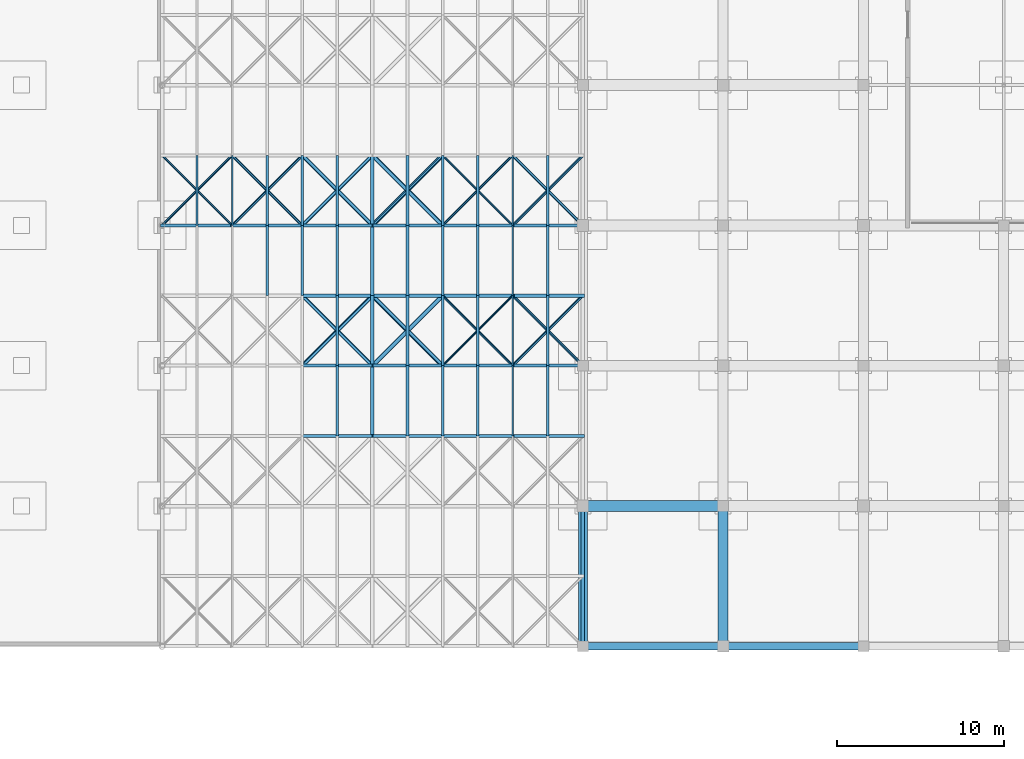
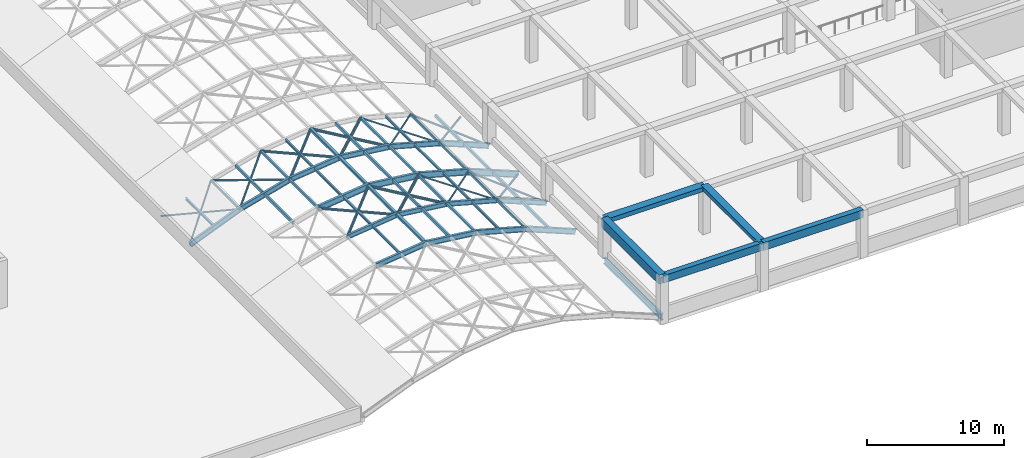
# One storey, part 19 of 85: 72 members, 6 beams.
"""IFC4 building model written with IfcOpenShell, lengths in metres."""

from ifc_helpers import new_model, si_unit, direction, frame, origin, origin_2d, place, context, subcontext, project, spatial, rectangle, hollow_rectangle, hollow_circle, i_section, extrude, material, material_profile, profile_set, type_object, element, save


model = new_model("IFC4")

# Units and contexts
model_context = context("Model", 3, precision=1e-05, world=origin(), true_north=direction((0.0, 1.0)))
body_context = subcontext(model_context, "Body", "Model", "MODEL_VIEW")
ifc_project = project(units=[si_unit("LENGTHUNIT", "METRE"), si_unit("AREAUNIT", "SQUARE_METRE"), si_unit("VOLUMEUNIT", "CUBIC_METRE"), si_unit("PLANEANGLEUNIT", "RADIAN"), si_unit("MASSUNIT", "GRAM", prefix="KILO")], contexts=[model_context])

# Site, building, storey
site_placement = place(None, origin())
site = spatial("IfcSite", under=ifc_project, at=site_placement, CompositionType="ELEMENT")
building_placement = place(site_placement, origin())
building = spatial("IfcBuilding", under=site, at=building_placement, Name="Almacenes y Pasaje Nevantli", CompositionType="ELEMENT")
storey_placement = place(building_placement, frame((0.0, 0.0, 22.199951171875)))
storey = spatial("IfcBuildingStorey", under=building, at=storey_placement, Name="L05", CompositionType="ELEMENT", Elevation=22.199951171875)

# Beams
ifc_material_1 = material(Name="Concrete C35/45", Category="concrete")
ifc_material_profile_1 = material_profile(ifc_material_1, rectangle(XDim=0.449951171875, YDim=0.64990234375, at=origin_2d()), Name="RC-BM-450x650")
ifc_profile_set_1 = profile_set([ifc_material_profile_1], Name="Concrete C35/45")
beam_type_1 = type_object("IfcBeamType", Name="BM-RC-450x650", PredefinedType="SPANDREL", material=ifc_profile_set_1)
beam_1_placement = place(storey_placement, frame((92.39990234375, 0.0, 3.89501953125), z_axis=(1.0, 0.0, 0.0), x_axis=(0.0, 1.0, 0.0)))
element("IfcBeam", 1, at=beam_1_placement, inside=storey, type_object=beam_type_1, Name="L05 East-West Reinforced Concrete Beam #3263", PredefinedType="SPANDREL", context=body_context, shape_type="SweptSolid", body=[
    extrude(rectangle(XDim=0.449951171875, YDim=0.64990234375, at=origin_2d()), origin(), (0.0, 0.0, 1.0), 8.400146484375),
])
ifc_material_2 = material(Name="Concrete C35/45", Category="concrete")
ifc_material_profile_2 = material_profile(ifc_material_2, rectangle(XDim=0.449951171875, YDim=0.699951171875, at=origin_2d()), Name="RC-BM-450x700")
ifc_profile_set_2 = profile_set([ifc_material_profile_2], Name="Concrete C35/45")
beam_type_2 = type_object("IfcBeamType", Name="BM-RC-450x700", PredefinedType="SPANDREL", material=ifc_profile_set_2)
beam_2_placement = place(storey_placement, frame((100.800048828125, 0.0, 3.8701171875), z_axis=(1.0, 0.0, 0.0), x_axis=(0.0, 1.0, 0.0)))
element("IfcBeam", 2, at=beam_2_placement, inside=storey, type_object=beam_type_2, Name="L05 East-West Reinforced Concrete Beam #3264", PredefinedType="SPANDREL", context=body_context, shape_type="SweptSolid", body=[
    extrude(rectangle(XDim=0.449951171875, YDim=0.699951171875, at=origin_2d()), origin(), (0.0, 0.0, 1.0), 8.39990234375),
])
ifc_material_3 = material(Name="Concrete C35/45", Category="concrete")
ifc_material_profile_3 = material_profile(ifc_material_3, rectangle(XDim=0.550048828125, YDim=0.800048828125, at=origin_2d()), Name="RC-BM-550x800")
ifc_profile_set_3 = profile_set([ifc_material_profile_3], Name="Concrete C35/45")
beam_type_3 = type_object("IfcBeamType", Name="BM-RC-550x800", PredefinedType="BEAM", material=ifc_profile_set_3)
beam_3_placement = place(storey_placement, frame((92.39990234375, 0.0, 3.820068359375), z_axis=(0.0, 1.0, 0.0), x_axis=(-1.0, 0.0, 0.0)))
element("IfcBeam", 3, at=beam_3_placement, inside=storey, type_object=beam_type_3, Name="L05 North-South Reinforced Concrete Beam #3464", PredefinedType="BEAM", context=body_context, shape_type="SweptSolid", body=[
    extrude(rectangle(XDim=0.550048828125, YDim=0.800048828125, at=origin_2d()), origin(), (0.0, 0.0, 1.0), 8.39990234375),
])
ifc_material_4 = material(Name="Concrete C35/45", Category="concrete")
ifc_material_profile_4 = material_profile(ifc_material_4, rectangle(XDim=0.60009765625, YDim=0.340087890625, at=origin_2d()), Name="RC-BM-600x340")
ifc_profile_set_4 = profile_set([ifc_material_profile_4], Name="Concrete C35/45")
beam_type_4 = type_object("IfcBeamType", Name="BM-RC-600x340", PredefinedType="BEAM", material=ifc_profile_set_4)
beam_4_placement = place(storey_placement, frame((100.800048828125, 0.0, 4.050048828125), z_axis=(0.0, 1.0, 0.0), x_axis=(-1.0, 0.0, 0.0)))
element("IfcBeam", 4, at=beam_4_placement, inside=storey, type_object=beam_type_4, Name="L05 North-South Reinforced Concrete Beam #3478", PredefinedType="BEAM", context=body_context, shape_type="SweptSolid", body=[
    extrude(rectangle(XDim=0.60009765625, YDim=0.340087890625, at=origin_2d()), origin(), (0.0, 0.0, 1.0), 8.39990234375),
])
ifc_material_5 = material(Name="Concrete C35/45", Category="concrete")
ifc_material_profile_5 = material_profile(ifc_material_5, rectangle(XDim=0.64990234375, YDim=0.3798828125, at=origin_2d()), Name="RC-BM-650x380")
ifc_profile_set_5 = profile_set([ifc_material_profile_5], Name="Concrete C35/45")
beam_type_5 = type_object("IfcBeamType", Name="BM-RC-650x380", PredefinedType="BEAM", material=ifc_profile_set_5)
beam_5_placement = place(storey_placement, frame((92.39990234375, 8.39990234375, 4.030029296875), z_axis=(1.0, 0.0, 0.0), x_axis=(0.0, 1.0, 0.0)))
element("IfcBeam", 5, at=beam_5_placement, inside=storey, type_object=beam_type_5, Name="L05 East-West Reinforced Concrete Beam #3272", PredefinedType="BEAM", context=body_context, shape_type="SweptSolid", body=[
    extrude(rectangle(XDim=0.64990234375, YDim=0.3798828125, at=origin_2d()), origin(), (0.0, 0.0, 1.0), 8.400146484375),
])
ifc_material_6 = material(Name="Steel ASTM A992", Category="steel")
ifc_material_profile_6 = material_profile(ifc_material_6, i_section(OverallWidth=0.208984375, OverallDepth=0.532958984375, WebThickness=0.01025390625, FlangeThickness=0.015625, at=origin_2d()), Name="IR 533x92.5")
ifc_profile_set_6 = profile_set([ifc_material_profile_6], Name="Steel ASTM A992")
beam_type_6 = type_object("IfcBeamType", Name="BM-STL-IR-533x92p5", PredefinedType="BEAM", material=ifc_profile_set_6)
beam_6_placement = place(storey_placement, frame((92.39990234375, 0.0, 0.400146484375), z_axis=(0.0, 1.0, 0.0), x_axis=(-1.0, 0.0, 0.0)))
element("IfcBeam", 6, at=beam_6_placement, inside=storey, type_object=beam_type_6, Name="L05 Arcade Barrel Vault Eave Steel Girder #2.1", PredefinedType="BEAM", context=body_context, shape_type="SweptSolid", body=[
    extrude(i_section(OverallWidth=0.208984375, OverallDepth=0.532958984375, WebThickness=0.01025390625, FlangeThickness=0.015625, at=origin_2d()), origin(), (0.0, 0.0, 1.0), 8.39990234375),
])

# Members
ifc_material_7 = material(Name="Steel ASTM A992", Category="steel")
ifc_material_profile_7 = material_profile(ifc_material_7, i_section(OverallWidth=0.180908203125, OverallDepth=0.406005859375, WebThickness=0.010986328125, FlangeThickness=0.018310546875, at=origin_2d()), Name="IR 406x85.0")
ifc_profile_set_7 = profile_set([ifc_material_profile_7], Name="Steel ASTM A992")
member_type_1 = type_object("IfcMemberType", Name="MBR-ARCH-IR406x85", PredefinedType="USERDEFINED", material=ifc_profile_set_7)
for number, where, z_axis, x_axis, name in (
    (7, (75.60009765625, 16.800048828125, 3.25), (0.99298811287, 0.0, 0.118214244908), (0.0, 1.0, 0.0), "Arcade Barrel Vault Steel Arch Rib 5.3"),
    (8, (79.800048828125, 16.800048828125, 3.75), (0.99298811287, 0.0, -0.118214244908), (0.0, 1.0, 0.0), "Arcade Barrel Vault Steel Arch Rib 5.4"),
):
    element("IfcMember", number, at=place(storey_placement, frame(where, z_axis=z_axis, x_axis=x_axis)), inside=storey, type_object=member_type_1, Name=name, ObjectType="ARCH RIB", PredefinedType="USERDEFINED", context=body_context, shape_type="SweptSolid", body=[
        extrude(i_section(OverallWidth=0.180908203125, OverallDepth=0.406005859375, WebThickness=0.010986328125, FlangeThickness=0.018310546875, at=origin_2d()), origin(), (0.0, 0.0, 1.0), 4.2294921875),
    ])
member_1_placement = place(storey_placement, frame((84.0, 16.800048828125, 3.25), z_axis=(0.964503290046, 0.0, -0.264070830443), x_axis=(0.0, 1.0, 0.0)))
element("IfcMember", 9, at=member_1_placement, inside=storey, type_object=member_type_1, Name="Arcade Barrel Vault Steel Arch Rib 5.5", ObjectType="ARCH RIB", PredefinedType="USERDEFINED", context=body_context, shape_type="SweptSolid", body=[
    extrude(i_section(OverallWidth=0.180908203125, OverallDepth=0.406005859375, WebThickness=0.010986328125, FlangeThickness=0.018310546875, at=origin_2d()), origin(), (0.0, 0.0, 1.0), 4.3544921875),
])
member_2_placement = place(storey_placement, frame((88.199951171875, 16.800048828125, 2.10009765625), z_axis=(0.926949044115, 0.0, -0.375187246072), x_axis=(0.0, 1.0, 0.0)))
element("IfcMember", 10, at=member_2_placement, inside=storey, type_object=member_type_1, Name="Arcade Barrel Vault Steel Arch Rib 5.6", ObjectType="ARCH RIB", PredefinedType="USERDEFINED", context=body_context, shape_type="SweptSolid", body=[
    extrude(i_section(OverallWidth=0.180908203125, OverallDepth=0.406005859375, WebThickness=0.010986328125, FlangeThickness=0.018310546875, at=origin_2d()), origin(), (0.0, 0.0, 1.0), 4.531005859375),
])
ifc_material_8 = material(Name="Steel ASTM A992", Category="steel")
ifc_material_profile_8 = material_profile(ifc_material_8, i_section(OverallWidth=0.193115234375, OverallDepth=0.4599609375, WebThickness=0.011474609375, FlangeThickness=0.01904296875, at=origin_2d()), Name="IR 457x96.7")
ifc_profile_set_8 = profile_set([ifc_material_profile_8], Name="Steel ASTM A992")
member_type_2 = type_object("IfcMemberType", Name="MBR-ARCH-IR457x96", PredefinedType="USERDEFINED", material=ifc_profile_set_8)
for number, where, z_axis, x_axis, name in (
    (11, (75.60009765625, 12.60009765625, 3.25), (0.99298811287, 0.0, 0.118214244908), (0.0, 1.0, 0.0), "Arcade Barrel Vault Steel Arch Rib 4.3"),
    (12, (79.800048828125, 12.60009765625, 3.75), (0.99298811287, 0.0, -0.118214244908), (0.0, 1.0, 0.0), "Arcade Barrel Vault Steel Arch Rib 4.4"),
):
    element("IfcMember", number, at=place(storey_placement, frame(where, z_axis=z_axis, x_axis=x_axis)), inside=storey, type_object=member_type_2, Name=name, ObjectType="ARCH RIB", PredefinedType="USERDEFINED", context=body_context, shape_type="SweptSolid", body=[
        extrude(i_section(OverallWidth=0.193115234375, OverallDepth=0.4599609375, WebThickness=0.011474609375, FlangeThickness=0.01904296875, at=origin_2d()), origin(), (0.0, 0.0, 1.0), 4.2294921875),
    ])
member_3_placement = place(storey_placement, frame((84.0, 12.60009765625, 3.25), z_axis=(0.964503290046, 0.0, -0.264070830443), x_axis=(0.0, 1.0, 0.0)))
element("IfcMember", 13, at=member_3_placement, inside=storey, type_object=member_type_2, Name="Arcade Barrel Vault Steel Arch Rib 4.5", ObjectType="ARCH RIB", PredefinedType="USERDEFINED", context=body_context, shape_type="SweptSolid", body=[
    extrude(i_section(OverallWidth=0.193115234375, OverallDepth=0.4599609375, WebThickness=0.011474609375, FlangeThickness=0.01904296875, at=origin_2d()), origin(), (0.0, 0.0, 1.0), 4.3544921875),
])
for number, where, z_axis, x_axis, name in (
    (14, (88.199951171875, 12.60009765625, 2.10009765625), (0.926949044115, 0.0, -0.375187246072), (0.0, 1.0, 0.0), "Arcade Barrel Vault Steel Arch Rib 4.6"),
    (15, (67.199951171875, 25.199951171875, 0.400146484375), (0.926949044115, 0.0, 0.375187246072), (0.0, 1.0, 0.0), "Arcade Barrel Vault Steel Arch Rib 7.1"),
):
    element("IfcMember", number, at=place(storey_placement, frame(where, z_axis=z_axis, x_axis=x_axis)), inside=storey, type_object=member_type_2, Name=name, ObjectType="ARCH RIB", PredefinedType="USERDEFINED", context=body_context, shape_type="SweptSolid", body=[
        extrude(i_section(OverallWidth=0.193115234375, OverallDepth=0.4599609375, WebThickness=0.011474609375, FlangeThickness=0.01904296875, at=origin_2d()), origin(), (0.0, 0.0, 1.0), 4.531005859375),
    ])
member_4_placement = place(storey_placement, frame((71.39990234375, 25.199951171875, 2.10009765625), z_axis=(0.964507199401, 0.0, 0.264056551336), x_axis=(0.0, 1.0, 0.0)))
element("IfcMember", 16, at=member_4_placement, inside=storey, type_object=member_type_2, Name="Arcade Barrel Vault Steel Arch Rib 7.2", ObjectType="ARCH RIB", PredefinedType="USERDEFINED", context=body_context, shape_type="SweptSolid", body=[
    extrude(i_section(OverallWidth=0.193115234375, OverallDepth=0.4599609375, WebThickness=0.011474609375, FlangeThickness=0.01904296875, at=origin_2d()), origin(), (0.0, 0.0, 1.0), 4.354736328125),
])
for number, where, z_axis, x_axis, name in (
    (17, (75.60009765625, 25.199951171875, 3.25), (0.99298811287, 0.0, 0.118214244908), (0.0, 1.0, 0.0), "Arcade Barrel Vault Steel Arch Rib 7.3"),
    (18, (79.800048828125, 25.199951171875, 3.75), (0.99298811287, 0.0, -0.118214244908), (0.0, 1.0, 0.0), "Arcade Barrel Vault Steel Arch Rib 7.4"),
):
    element("IfcMember", number, at=place(storey_placement, frame(where, z_axis=z_axis, x_axis=x_axis)), inside=storey, type_object=member_type_2, Name=name, ObjectType="ARCH RIB", PredefinedType="USERDEFINED", context=body_context, shape_type="SweptSolid", body=[
        extrude(i_section(OverallWidth=0.193115234375, OverallDepth=0.4599609375, WebThickness=0.011474609375, FlangeThickness=0.01904296875, at=origin_2d()), origin(), (0.0, 0.0, 1.0), 4.2294921875),
    ])
member_5_placement = place(storey_placement, frame((84.0, 25.199951171875, 3.25), z_axis=(0.964503290046, 0.0, -0.264070830443), x_axis=(0.0, 1.0, 0.0)))
element("IfcMember", 19, at=member_5_placement, inside=storey, type_object=member_type_2, Name="Arcade Barrel Vault Steel Arch Rib 7.5", ObjectType="ARCH RIB", PredefinedType="USERDEFINED", context=body_context, shape_type="SweptSolid", body=[
    extrude(i_section(OverallWidth=0.193115234375, OverallDepth=0.4599609375, WebThickness=0.011474609375, FlangeThickness=0.01904296875, at=origin_2d()), origin(), (0.0, 0.0, 1.0), 4.3544921875),
])
member_6_placement = place(storey_placement, frame((88.199951171875, 25.199951171875, 2.10009765625), z_axis=(0.926949044115, 0.0, -0.375187246072), x_axis=(0.0, 1.0, 0.0)))
element("IfcMember", 20, at=member_6_placement, inside=storey, type_object=member_type_2, Name="Arcade Barrel Vault Steel Arch Rib 7.6", ObjectType="ARCH RIB", PredefinedType="USERDEFINED", context=body_context, shape_type="SweptSolid", body=[
    extrude(i_section(OverallWidth=0.193115234375, OverallDepth=0.4599609375, WebThickness=0.011474609375, FlangeThickness=0.01904296875, at=origin_2d()), origin(), (0.0, 0.0, 1.0), 4.531005859375),
])
ifc_material_9 = material(Name="Steel ASTM A992", Category="steel")
ifc_material_profile_9 = material_profile(ifc_material_9, i_section(OverallWidth=0.208984375, OverallDepth=0.532958984375, WebThickness=0.01025390625, FlangeThickness=0.015625, at=origin_2d()), Name="IR 533x92.5")
ifc_profile_set_9 = profile_set([ifc_material_profile_9], Name="Steel ASTM A992")
member_type_3 = type_object("IfcMemberType", Name="MBR-ARCH-IR533x92", PredefinedType="USERDEFINED", material=ifc_profile_set_9)
for number, where, z_axis, x_axis, name in (
    (21, (75.60009765625, 21.0, 3.25), (0.99298811287, 0.0, 0.118214244908), (0.0, 1.0, 0.0), "Arcade Barrel Vault Steel Arch Rib 6.3"),
    (22, (79.800048828125, 21.0, 3.75), (0.99298811287, 0.0, -0.118214244908), (0.0, 1.0, 0.0), "Arcade Barrel Vault Steel Arch Rib 6.4"),
):
    element("IfcMember", number, at=place(storey_placement, frame(where, z_axis=z_axis, x_axis=x_axis)), inside=storey, type_object=member_type_3, Name=name, ObjectType="ARCH RIB", PredefinedType="USERDEFINED", context=body_context, shape_type="SweptSolid", body=[
        extrude(i_section(OverallWidth=0.208984375, OverallDepth=0.532958984375, WebThickness=0.01025390625, FlangeThickness=0.015625, at=origin_2d()), origin(), (0.0, 0.0, 1.0), 4.2294921875),
    ])
member_7_placement = place(storey_placement, frame((84.0, 21.0, 3.25), z_axis=(0.964503290046, 0.0, -0.264070830443), x_axis=(0.0, 1.0, 0.0)))
element("IfcMember", 23, at=member_7_placement, inside=storey, type_object=member_type_3, Name="Arcade Barrel Vault Steel Arch Rib 6.5", ObjectType="ARCH RIB", PredefinedType="USERDEFINED", context=body_context, shape_type="SweptSolid", body=[
    extrude(i_section(OverallWidth=0.208984375, OverallDepth=0.532958984375, WebThickness=0.01025390625, FlangeThickness=0.015625, at=origin_2d()), origin(), (0.0, 0.0, 1.0), 4.3544921875),
])
member_8_placement = place(storey_placement, frame((88.199951171875, 21.0, 2.10009765625), z_axis=(0.926949044115, 0.0, -0.375187246072), x_axis=(0.0, 1.0, 0.0)))
element("IfcMember", 24, at=member_8_placement, inside=storey, type_object=member_type_3, Name="Arcade Barrel Vault Steel Arch Rib 6.6", ObjectType="ARCH RIB", PredefinedType="USERDEFINED", context=body_context, shape_type="SweptSolid", body=[
    extrude(i_section(OverallWidth=0.208984375, OverallDepth=0.532958984375, WebThickness=0.01025390625, FlangeThickness=0.015625, at=origin_2d()), origin(), (0.0, 0.0, 1.0), 4.531005859375),
])
ifc_material_10 = material(Name="Steel ASTM A500 Grade C", Category="steel")
ifc_material_profile_10 = material_profile(ifc_material_10, hollow_circle(Radius=0.070556640625, WallThickness=0.006591796875, at=origin_2d()), Name="OC 141x6.6")
ifc_profile_set_10 = profile_set([ifc_material_profile_10], Name="Steel ASTM A500 Grade C")
member_type_4 = type_object("IfcMemberType", Name="MBR-BRC-OC141", PredefinedType="BRACE", material=ifc_profile_set_10)
for number, where, z_axis, x_axis, name in (
    (25, (84.0, 16.800048828125, 3.25), (0.694216714393, 0.694216714393, -0.190069216113), (-0.707106781187, 0.707106781187, 0.0), "Arcade Barrel Vault Wind Brace 5.5A"),
    (26, (88.199951171875, 16.800048828125, 2.10009765625), (-0.694216714393, 0.694216714393, 0.190069216113), (-0.707106781187, -0.707106781187, 0.0), "Arcade Barrel Vault Wind Brace 5.5B"),
):
    element("IfcMember", number, at=place(storey_placement, frame(where, z_axis=z_axis, x_axis=x_axis)), inside=storey, type_object=member_type_4, Name=name, PredefinedType="BRACE", context=body_context, shape_type="SweptSolid", body=[
        extrude(hollow_circle(Radius=0.070556640625, WallThickness=0.006591796875, at=origin_2d()), origin(), (0.0, 0.0, 1.0), 6.0498046875),
    ])
for number, where, z_axis, x_axis, name in (
    (27, (67.199951171875, 25.199951171875, 0.400146484375), (0.679811915702, 0.679811915702, 0.275157261468), (-0.707106781187, 0.707106781187, 0.0), "Arcade Barrel Vault Wind Brace 7.1A"),
    (28, (71.39990234375, 25.199951171875, 2.10009765625), (-0.679811915702, 0.679811915702, -0.275157261468), (-0.707106781187, -0.707106781187, 0.0), "Arcade Barrel Vault Wind Brace 7.1B"),
):
    element("IfcMember", number, at=place(storey_placement, frame(where, z_axis=z_axis, x_axis=x_axis)), inside=storey, type_object=member_type_4, Name=name, PredefinedType="BRACE", context=body_context, shape_type="SweptSolid", body=[
        extrude(hollow_circle(Radius=0.070556640625, WallThickness=0.006591796875, at=origin_2d()), origin(), (0.0, 0.0, 1.0), 6.17822265625),
    ])
for number, where, z_axis, x_axis, name in (
    (29, (84.0, 25.199951171875, 3.25), (0.694216714393, 0.694216714393, -0.190069216113), (-0.707106781187, 0.707106781187, 0.0), "Arcade Barrel Vault Wind Brace 7.5A"),
    (30, (88.199951171875, 25.199951171875, 2.10009765625), (-0.694216714393, 0.694216714393, 0.190069216113), (-0.707106781187, -0.707106781187, 0.0), "Arcade Barrel Vault Wind Brace 7.5B"),
):
    element("IfcMember", number, at=place(storey_placement, frame(where, z_axis=z_axis, x_axis=x_axis)), inside=storey, type_object=member_type_4, Name=name, PredefinedType="BRACE", context=body_context, shape_type="SweptSolid", body=[
        extrude(hollow_circle(Radius=0.070556640625, WallThickness=0.006591796875, at=origin_2d()), origin(), (0.0, 0.0, 1.0), 6.0498046875),
    ])
ifc_material_11 = material(Name="Steel ASTM A500 Grade C", Category="steel")
ifc_material_profile_11 = material_profile(ifc_material_11, hollow_circle(Radius=0.084228515625, WallThickness=0.007080078125, at=origin_2d()), Name="OC 168x7.1")
ifc_profile_set_11 = profile_set([ifc_material_profile_11], Name="Steel ASTM A500 Grade C")
member_type_5 = type_object("IfcMemberType", Name="MBR-BRC-OC168", PredefinedType="BRACE", material=ifc_profile_set_11)
for number, where, z_axis, x_axis, name in (
    (31, (88.199951171875, 16.800048828125, 2.10009765625), (0.679811915702, 0.679811915702, -0.275157261468), (-0.707106781187, 0.707106781187, 0.0), "Arcade Barrel Vault Wind Brace 5.6A"),
    (32, (92.39990234375, 16.800048828125, 0.400146484375), (-0.679811915702, 0.679811915702, 0.275157261468), (-0.707106781187, -0.707106781187, 0.0), "Arcade Barrel Vault Wind Brace 5.6B"),
):
    element("IfcMember", number, at=place(storey_placement, frame(where, z_axis=z_axis, x_axis=x_axis)), inside=storey, type_object=member_type_5, Name=name, PredefinedType="BRACE", context=body_context, shape_type="SweptSolid", body=[
        extrude(hollow_circle(Radius=0.084228515625, WallThickness=0.007080078125, at=origin_2d()), origin(), (0.0, 0.0, 1.0), 6.17822265625),
    ])
for number, where, z_axis, x_axis, name in (
    (33, (71.39990234375, 25.199951171875, 2.10009765625), (0.694237619642, 0.694197266374, 0.19006389145), (-0.70708622964, 0.707127332136, 0.0), "Arcade Barrel Vault Wind Brace 7.2A"),
    (34, (75.60009765625, 25.199951171875, 3.25), (-0.694237619642, 0.694197266374, -0.19006389145), (-0.70708622964, -0.707127332136, 0.0), "Arcade Barrel Vault Wind Brace 7.2B"),
):
    element("IfcMember", number, at=place(storey_placement, frame(where, z_axis=z_axis, x_axis=x_axis)), inside=storey, type_object=member_type_5, Name=name, PredefinedType="BRACE", context=body_context, shape_type="SweptSolid", body=[
        extrude(hollow_circle(Radius=0.084228515625, WallThickness=0.007080078125, at=origin_2d()), origin(), (0.0, 0.0, 1.0), 6.050048828125),
    ])
for number, where, z_axis, x_axis, name in (
    (35, (88.199951171875, 25.199951171875, 2.10009765625), (0.679811915702, 0.679811915702, -0.275157261468), (-0.707106781187, 0.707106781187, 0.0), "Arcade Barrel Vault Wind Brace 7.6A"),
    (36, (92.39990234375, 25.199951171875, 0.400146484375), (-0.679811915702, 0.679811915702, 0.275157261468), (-0.707106781187, -0.707106781187, 0.0), "Arcade Barrel Vault Wind Brace 7.6B"),
):
    element("IfcMember", number, at=place(storey_placement, frame(where, z_axis=z_axis, x_axis=x_axis)), inside=storey, type_object=member_type_5, Name=name, PredefinedType="BRACE", context=body_context, shape_type="SweptSolid", body=[
        extrude(hollow_circle(Radius=0.084228515625, WallThickness=0.007080078125, at=origin_2d()), origin(), (0.0, 0.0, 1.0), 6.17822265625),
    ])
ifc_material_12 = material(Name="Steel ASTM A500 Grade C", Category="steel")
ifc_material_profile_12 = material_profile(ifc_material_12, hollow_circle(Radius=0.109619140625, WallThickness=0.00830078125, at=origin_2d()), Name="OC 219x8.2")
ifc_profile_set_12 = profile_set([ifc_material_profile_12], Name="Steel ASTM A500 Grade C")
member_type_6 = type_object("IfcMemberType", Name="MBR-BRC-OC219", PredefinedType="BRACE", material=ifc_profile_set_12)
for number, where, z_axis, x_axis, name in (
    (37, (75.60009765625, 16.800048828125, 3.25), (0.70461462169, 0.70461462169, 0.083883668268), (-0.707106781187, 0.707106781187, 0.0), "Arcade Barrel Vault Wind Brace 5.3A"),
    (38, (79.800048828125, 16.800048828125, 3.75), (-0.70461462169, 0.70461462169, -0.083883668268), (-0.707106781187, -0.707106781187, 0.0), "Arcade Barrel Vault Wind Brace 5.3B"),
    (39, (75.60009765625, 25.199951171875, 3.25), (0.70461462169, 0.70461462169, 0.083883668268), (-0.707106781187, 0.707106781187, 0.0), "Arcade Barrel Vault Wind Brace 7.3A"),
    (40, (79.800048828125, 25.199951171875, 3.75), (-0.70461462169, 0.70461462169, -0.083883668268), (-0.707106781187, -0.707106781187, 0.0), "Arcade Barrel Vault Wind Brace 7.3B"),
):
    element("IfcMember", number, at=place(storey_placement, frame(where, z_axis=z_axis, x_axis=x_axis)), inside=storey, type_object=member_type_6, Name=name, PredefinedType="BRACE", context=body_context, shape_type="SweptSolid", body=[
        extrude(hollow_circle(Radius=0.109619140625, WallThickness=0.00830078125, at=origin_2d()), origin(), (0.0, 0.0, 1.0), 5.960693359375),
    ])
ifc_material_13 = material(Name="Steel ASTM A500 Grade C", Category="steel")
ifc_material_profile_13 = material_profile(ifc_material_13, hollow_circle(Radius=0.122314453125, WallThickness=0.0087890625, at=origin_2d()), Name="OC 244x8.9")
ifc_profile_set_13 = profile_set([ifc_material_profile_13], Name="Steel ASTM A500 Grade C")
member_type_7 = type_object("IfcMemberType", Name="MBR-BRC-OC244", PredefinedType="BRACE", material=ifc_profile_set_13)
for number, where, z_axis, x_axis, name in (
    (41, (79.800048828125, 16.800048828125, 3.75), (0.70461462169, 0.70461462169, -0.083883668268), (-0.707106781187, 0.707106781187, 0.0), "Arcade Barrel Vault Wind Brace 5.4A"),
    (42, (84.0, 16.800048828125, 3.25), (-0.70461462169, 0.70461462169, 0.083883668268), (-0.707106781187, -0.707106781187, 0.0), "Arcade Barrel Vault Wind Brace 5.4B"),
    (43, (79.800048828125, 25.199951171875, 3.75), (0.70461462169, 0.70461462169, -0.083883668268), (-0.707106781187, 0.707106781187, 0.0), "Arcade Barrel Vault Wind Brace 7.4A"),
    (44, (84.0, 25.199951171875, 3.25), (-0.70461462169, 0.70461462169, 0.083883668268), (-0.707106781187, -0.707106781187, 0.0), "Arcade Barrel Vault Wind Brace 7.4B"),
):
    element("IfcMember", number, at=place(storey_placement, frame(where, z_axis=z_axis, x_axis=x_axis)), inside=storey, type_object=member_type_7, Name=name, PredefinedType="BRACE", context=body_context, shape_type="SweptSolid", body=[
        extrude(hollow_circle(Radius=0.122314453125, WallThickness=0.0087890625, at=origin_2d()), origin(), (0.0, 0.0, 1.0), 5.960693359375),
    ])
ifc_material_14 = material(Name="Steel ASTM A992", Category="steel")
ifc_material_profile_14 = material_profile(ifc_material_14, i_section(OverallWidth=0.134033203125, OverallDepth=0.2099609375, WebThickness=0.00634765625, FlangeThickness=0.01025390625, at=origin_2d()), Name="IR 203x31.3")
ifc_profile_set_14 = profile_set([ifc_material_profile_14], Name="Steel ASTM A992")
member_type_8 = type_object("IfcMemberType", Name="MBR-PUR-IR203x31", PredefinedType="PURLIN", material=ifc_profile_set_14)
for number, where, z_axis, x_axis, name in (
    (45, (77.699951171875, 12.60009765625, 3.5), (0.0, 1.0, 0.0), (-1.0, 0.0, 0.0), "Arcade Barrel Vault Secondary Steel Purlin #41"),
    (46, (86.10009765625, 12.60009765625, 2.675048828125), (0.0, 1.0, 0.0), (-1.0, 0.0, 0.0), "Arcade Barrel Vault Secondary Steel Purlin #43"),
    (47, (77.699951171875, 16.800048828125, 3.5), (0.0, 1.0, 0.0), (-1.0, 0.0, 0.0), "Arcade Barrel Vault Secondary Steel Purlin #52"),
    (48, (86.10009765625, 16.800048828125, 2.675048828125), (0.0, 1.0, 0.0), (-1.0, 0.0, 0.0), "Arcade Barrel Vault Secondary Steel Purlin #54"),
    (49, (77.699951171875, 21.0, 3.5), (0.0, 1.0, 0.0), (-1.0, 0.0, 0.0), "Arcade Barrel Vault Secondary Steel Purlin #63"),
    (50, (86.10009765625, 21.0, 2.675048828125), (0.0, 1.0, 0.0), (-1.0, 0.0, 0.0), "Arcade Barrel Vault Secondary Steel Purlin #65"),
    (51, (69.300048828125, 25.199951171875, 1.25), (0.0, 1.0, 0.0), (-1.0, 0.0, 0.0), "Arcade Barrel Vault Secondary Steel Purlin #72"),
    (52, (77.699951171875, 25.199951171875, 3.5), (0.0, 1.0, 0.0), (-1.0, 0.0, 0.0), "Arcade Barrel Vault Secondary Steel Purlin #74"),
    (53, (86.10009765625, 25.199951171875, 2.675048828125), (0.0, 1.0, 0.0), (-1.0, 0.0, 0.0), "Arcade Barrel Vault Secondary Steel Purlin #76"),
):
    element("IfcMember", number, at=place(storey_placement, frame(where, z_axis=z_axis, x_axis=x_axis)), inside=storey, type_object=member_type_8, Name=name, PredefinedType="PURLIN", context=body_context, shape_type="SweptSolid", body=[
        extrude(i_section(OverallWidth=0.134033203125, OverallDepth=0.2099609375, WebThickness=0.00634765625, FlangeThickness=0.01025390625, at=origin_2d()), origin(), (0.0, 0.0, 1.0), 4.199951171875),
    ])
ifc_material_15 = material(Name="Steel ASTM A992", Category="steel")
ifc_material_profile_15 = material_profile(ifc_material_15, i_section(OverallWidth=0.202880859375, OverallDepth=0.25390625, WebThickness=0.00732421875, FlangeThickness=0.010986328125, at=origin_2d()), Name="IR 254x49.1")
ifc_profile_set_15 = profile_set([ifc_material_profile_15], Name="Steel ASTM A992")
member_type_9 = type_object("IfcMemberType", Name="MBR-PUR-IR254x49", PredefinedType="PURLIN", material=ifc_profile_set_15)
for number, where, z_axis, x_axis, name in (
    (54, (79.800048828125, 12.60009765625, 3.75), (0.0, 1.0, 0.0), (-1.0, 0.0, 0.0), "Arcade Barrel Vault Steel Purlin #36"),
    (55, (79.800048828125, 16.800048828125, 3.75), (0.0, 1.0, 0.0), (-1.0, 0.0, 0.0), "Arcade Barrel Vault Steel Purlin #47"),
    (56, (79.800048828125, 21.0, 3.75), (0.0, 1.0, 0.0), (-1.0, 0.0, 0.0), "Arcade Barrel Vault Steel Purlin #58"),
    (57, (79.800048828125, 25.199951171875, 3.75), (0.0, 1.0, 0.0), (-1.0, 0.0, 0.0), "Arcade Barrel Vault Steel Purlin #69"),
):
    element("IfcMember", number, at=place(storey_placement, frame(where, z_axis=z_axis, x_axis=x_axis)), inside=storey, type_object=member_type_9, Name=name, PredefinedType="PURLIN", context=body_context, shape_type="SweptSolid", body=[
        extrude(i_section(OverallWidth=0.202880859375, OverallDepth=0.25390625, WebThickness=0.00732421875, FlangeThickness=0.010986328125, at=origin_2d()), origin(), (0.0, 0.0, 1.0), 4.199951171875),
    ])
ifc_material_16 = material(Name="Steel ASTM A500 Grade C", Category="steel")
ifc_material_profile_16 = material_profile(ifc_material_16, hollow_rectangle(XDim=0.1015625, YDim=0.203125, WallThickness=0.0078125, at=origin_2d()), Name="OR 203x102x7.9")
ifc_profile_set_16 = profile_set([ifc_material_profile_16], Name="Steel ASTM A500 Grade C")
member_type_10 = type_object("IfcMemberType", Name="MBR-PUR-OR203x102", PredefinedType="PURLIN", material=ifc_profile_set_16)
for number, where, z_axis, x_axis, name in (
    (58, (88.199951171875, 12.60009765625, 2.10009765625), (0.0, 1.0, 0.0), (-1.0, 0.0, 0.0), "Arcade Barrel Vault Steel Purlin #38"),
    (59, (88.199951171875, 16.800048828125, 2.10009765625), (0.0, 1.0, 0.0), (-1.0, 0.0, 0.0), "Arcade Barrel Vault Steel Purlin #49"),
    (60, (88.199951171875, 21.0, 2.10009765625), (0.0, 1.0, 0.0), (-1.0, 0.0, 0.0), "Arcade Barrel Vault Steel Purlin #60"),
    (61, (71.39990234375, 25.199951171875, 2.10009765625), (0.0, 1.0, 0.0), (-1.0, 0.0, 0.0), "Arcade Barrel Vault Steel Purlin #67"),
    (62, (88.199951171875, 25.199951171875, 2.10009765625), (0.0, 1.0, 0.0), (-1.0, 0.0, 0.0), "Arcade Barrel Vault Steel Purlin #71"),
):
    element("IfcMember", number, at=place(storey_placement, frame(where, z_axis=z_axis, x_axis=x_axis)), inside=storey, type_object=member_type_10, Name=name, PredefinedType="PURLIN", context=body_context, shape_type="SweptSolid", body=[
        extrude(hollow_rectangle(XDim=0.1015625, YDim=0.203125, WallThickness=0.0078125, at=origin_2d()), origin(), (0.0, 0.0, 1.0), 4.199951171875),
    ])
ifc_material_17 = material(Name="Steel ASTM A500 Grade C", Category="steel")
ifc_material_profile_17 = material_profile(ifc_material_17, hollow_rectangle(XDim=0.15234375, YDim=0.203125, WallThickness=0.0078125, at=origin_2d()), Name="OR 203x152x7.9")
ifc_profile_set_17 = profile_set([ifc_material_profile_17], Name="Steel ASTM A500 Grade C")
member_type_11 = type_object("IfcMemberType", Name="MBR-PUR-OR203x152", PredefinedType="PURLIN", material=ifc_profile_set_17)
for number, where, z_axis, x_axis, name in (
    (63, (84.0, 12.60009765625, 3.25), (0.0, 1.0, 0.0), (-1.0, 0.0, 0.0), "Arcade Barrel Vault Steel Purlin #37"),
    (64, (84.0, 16.800048828125, 3.25), (0.0, 1.0, 0.0), (-1.0, 0.0, 0.0), "Arcade Barrel Vault Steel Purlin #48"),
    (65, (75.60009765625, 21.0, 3.25), (0.0, 1.0, 0.0), (-1.0, 0.0, 0.0), "Arcade Barrel Vault Steel Purlin #57"),
    (66, (84.0, 21.0, 3.25), (0.0, 1.0, 0.0), (-1.0, 0.0, 0.0), "Arcade Barrel Vault Steel Purlin #59"),
    (67, (75.60009765625, 25.199951171875, 3.25), (0.0, 1.0, 0.0), (-1.0, 0.0, 0.0), "Arcade Barrel Vault Steel Purlin #68"),
    (68, (84.0, 25.199951171875, 3.25), (0.0, 1.0, 0.0), (-1.0, 0.0, 0.0), "Arcade Barrel Vault Steel Purlin #70"),
):
    element("IfcMember", number, at=place(storey_placement, frame(where, z_axis=z_axis, x_axis=x_axis)), inside=storey, type_object=member_type_11, Name=name, PredefinedType="PURLIN", context=body_context, shape_type="SweptSolid", body=[
        extrude(hollow_rectangle(XDim=0.15234375, YDim=0.203125, WallThickness=0.0078125, at=origin_2d()), origin(), (0.0, 0.0, 1.0), 4.199951171875),
    ])
ifc_material_18 = material(Name="Steel ASTM A500 Grade C", Category="steel")
ifc_material_profile_18 = material_profile(ifc_material_18, hollow_rectangle(XDim=0.15234375, YDim=0.25390625, WallThickness=0.009521484375, at=origin_2d()), Name="OR 254x152x9.5")
ifc_profile_set_18 = profile_set([ifc_material_profile_18], Name="Steel ASTM A500 Grade C")
member_type_12 = type_object("IfcMemberType", Name="MBR-PUR-OR254x152", PredefinedType="PURLIN", material=ifc_profile_set_18)
for number, where, z_axis, x_axis, name in (
    (69, (81.89990234375, 12.60009765625, 3.5), (0.0, 1.0, 0.0), (-1.0, 0.0, 0.0), "Arcade Barrel Vault Secondary Steel Purlin #42"),
    (70, (90.300048828125, 12.60009765625, 1.25), (0.0, 1.0, 0.0), (-1.0, 0.0, 0.0), "Arcade Barrel Vault Secondary Steel Purlin #44"),
    (71, (81.89990234375, 16.800048828125, 3.5), (0.0, 1.0, 0.0), (-1.0, 0.0, 0.0), "Arcade Barrel Vault Secondary Steel Purlin #53"),
    (72, (90.300048828125, 16.800048828125, 1.25), (0.0, 1.0, 0.0), (-1.0, 0.0, 0.0), "Arcade Barrel Vault Secondary Steel Purlin #55"),
    (73, (73.5, 21.0, 2.675048828125), (0.0, 1.0, 0.0), (-1.0, 0.0, 0.0), "Arcade Barrel Vault Secondary Steel Purlin #62"),
    (74, (81.89990234375, 21.0, 3.5), (0.0, 1.0, 0.0), (-1.0, 0.0, 0.0), "Arcade Barrel Vault Secondary Steel Purlin #64"),
    (75, (90.300048828125, 21.0, 1.25), (0.0, 1.0, 0.0), (-1.0, 0.0, 0.0), "Arcade Barrel Vault Secondary Steel Purlin #66"),
    (76, (73.5, 25.199951171875, 2.675048828125), (0.0, 1.0, 0.0), (-1.0, 0.0, 0.0), "Arcade Barrel Vault Secondary Steel Purlin #73"),
    (77, (81.89990234375, 25.199951171875, 3.5), (0.0, 1.0, 0.0), (-1.0, 0.0, 0.0), "Arcade Barrel Vault Secondary Steel Purlin #75"),
    (78, (90.300048828125, 25.199951171875, 1.25), (0.0, 1.0, 0.0), (-1.0, 0.0, 0.0), "Arcade Barrel Vault Secondary Steel Purlin #77"),
):
    element("IfcMember", number, at=place(storey_placement, frame(where, z_axis=z_axis, x_axis=x_axis)), inside=storey, type_object=member_type_12, Name=name, PredefinedType="PURLIN", context=body_context, shape_type="SweptSolid", body=[
        extrude(hollow_rectangle(XDim=0.15234375, YDim=0.25390625, WallThickness=0.009521484375, at=origin_2d()), origin(), (0.0, 0.0, 1.0), 4.199951171875),
    ])

save(model, "model.ifc")
